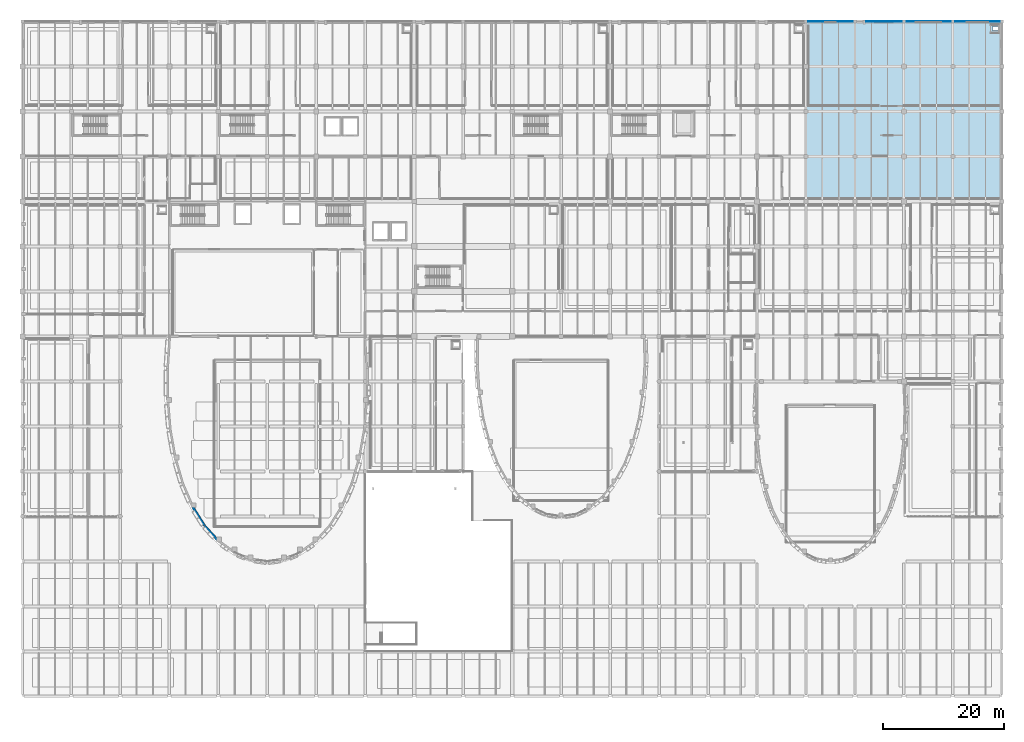
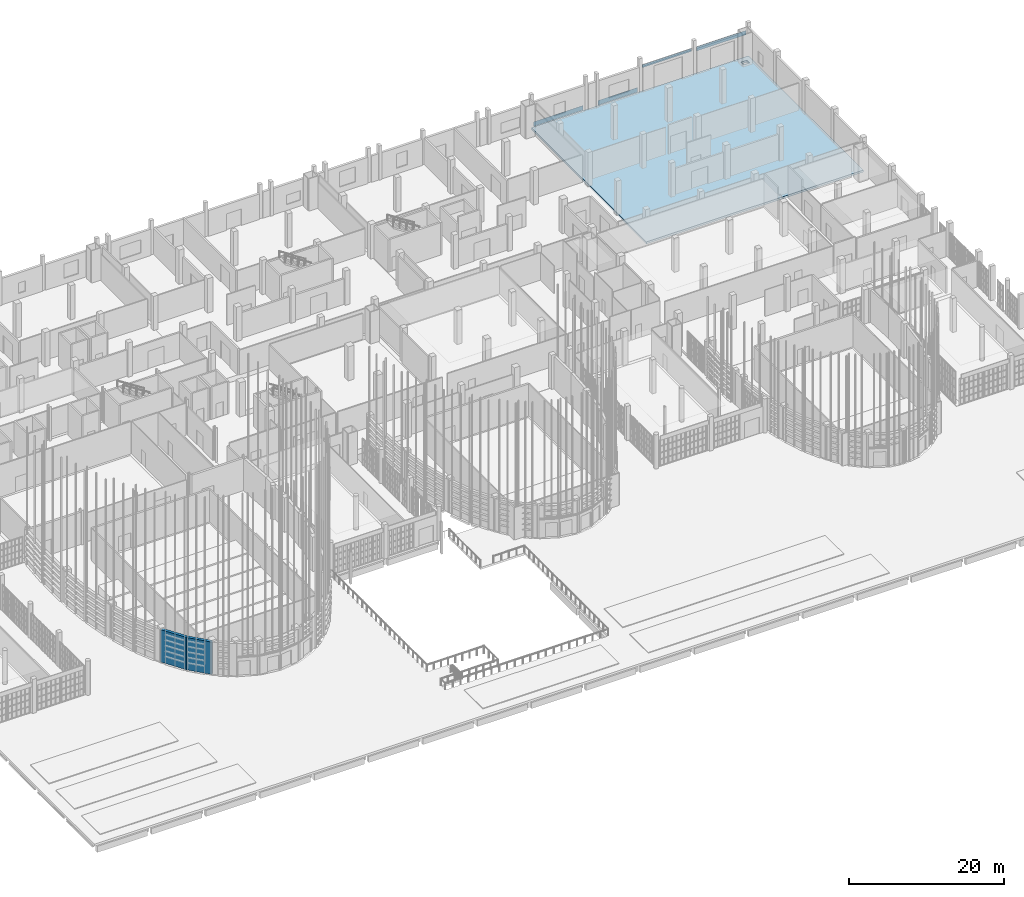
# One storey, part 347 of 372: 4 plates, 2 walls, 1 slab.
"""IFC4 building model written with IfcOpenShell, lengths in metres."""

import ifcopenshell
import ifcopenshell.guid

model = None  # the IFC model being written
_history = None  # IfcOwnerHistory: only IFC2X3 demands one
_inside = {}  # id of a spatial element -> (the spatial element, [elements in it])
_under = {}  # id of a project, library or spatial element -> (it, [spatial elements below it])
_declared = {}  # id of a project -> (the project, [libraries it declares])
_typed = {}  # id of a type object -> (the type object, [elements of that type])
_made_of = {}  # id of a material, layer set ... -> (it, [elements and type objects made of it])


def new_model(schema):
    """Start an empty IFC model of exactly this schema.

    Asked for "IFC4X3", IfcOpenShell would pick the latest addendum, in which some entities
    have other attributes; the version numbers below select the first issue.
    IFC2X3 requires an IfcOwnerHistory on every rooted entity: one is made here for all.
    """
    global model, _history
    if schema == "IFC4X3":
        model = ifcopenshell.file(schema_version=(4, 3, 0, 0))
    else:
        model = ifcopenshell.file(schema=schema)
    _inside.clear()
    _under.clear()
    _declared.clear()
    _typed.clear()
    _made_of.clear()
    _history = None
    if model.schema == "IFC2X3":
        org = make("IfcOrganization", Name="unknown")
        user = make(
            "IfcPersonAndOrganization",
            ThePerson=make("IfcPerson", FamilyName="unknown"),
            TheOrganization=org,
        )
        app = make(
            "IfcApplication",
            ApplicationDeveloper=org,
            Version="unknown",
            ApplicationFullName="unknown",
            ApplicationIdentifier="unknown",
        )
        _history = make(
            "IfcOwnerHistory",
            OwningUser=user,
            OwningApplication=app,
            ChangeAction="ADDED",
            CreationDate=0,
        )
    return model


def make(cls, **values):
    """One entity of the class cls with the attributes given. An attribute that is None is left unset."""
    return model.create_entity(
        cls, **{name: value for name, value in values.items() if value is not None}
    )


def rooted(cls, **values):
    """An entity with a GlobalId (a new one), such as an element, a storey or a relation."""
    return make(cls, GlobalId=ifcopenshell.guid.new(), OwnerHistory=_history, **values)


def si_unit(unit_type, name, prefix=None):
    """IfcSIUnit, for example si_unit("LENGTHUNIT", "METRE", prefix="MILLI")."""
    return make("IfcSIUnit", UnitType=unit_type, Prefix=prefix, Name=name)


def assignment(units):
    """IfcUnitAssignment: the units of a project."""
    return None if units is None else make("IfcUnitAssignment", Units=units)


def point(xyz):
    """IfcCartesianPoint."""
    return None if xyz is None else make("IfcCartesianPoint", Coordinates=xyz)


def direction(xyz):
    """IfcDirection."""
    return None if xyz is None else make("IfcDirection", DirectionRatios=xyz)


def frame(location, z_axis=None, x_axis=None):
    """IfcAxis2Placement3D, a coordinate frame: its origin and axes. An axis left out is left unset."""
    return make(
        "IfcAxis2Placement3D",
        Location=point(location),
        Axis=direction(z_axis),
        RefDirection=direction(x_axis),
    )


def frame_2d(location, x_axis=None):
    """IfcAxis2Placement2D, a coordinate frame in the plane: its origin and x axis."""
    return make(
        "IfcAxis2Placement2D", Location=point(location), RefDirection=direction(x_axis)
    )


def origin():
    """The frame at (0, 0, 0) with its axes left unset."""
    return frame((0.0, 0.0, 0.0))


def origin_2d():
    """The frame at (0, 0) in the plane with its x axis left unset."""
    return frame_2d((0.0, 0.0))


def place(relative_to, where):
    """IfcLocalPlacement: puts the frame where relative to a parent placement (None: the world)."""
    return make(
        "IfcLocalPlacement", PlacementRelTo=relative_to, RelativePlacement=where
    )


def context(
    kind, dimensions, precision=None, world=None, true_north=None, identifier=None
):
    """IfcGeometricRepresentationContext, for example the 3D "Model" context."""
    return make(
        "IfcGeometricRepresentationContext",
        ContextIdentifier=identifier,
        ContextType=kind,
        CoordinateSpaceDimension=dimensions,
        Precision=precision,
        WorldCoordinateSystem=world,
        TrueNorth=true_north,
    )


def subcontext(parent, identifier, kind, view, scale=None):
    """IfcGeometricRepresentationSubContext, for example "Body" below "Model"."""
    return make(
        "IfcGeometricRepresentationSubContext",
        ContextIdentifier=identifier,
        ContextType=kind,
        ParentContext=parent,
        TargetScale=scale,
        TargetView=view,
    )


def project(units=None, contexts=None):
    """IfcProject with its units and contexts."""
    return rooted(
        "IfcProject",
        Name="project",
        RepresentationContexts=contexts,
        UnitsInContext=assignment(units),
    )


def spatial(cls, under=None, at=None, **own):
    """A site, building, storey or space (cls), placed at a placement, below another one or the project."""
    s = rooted(cls, ObjectPlacement=at, **own)
    if under is not None:
        _under.setdefault(under.id(), (under, []))[1].append(s)
    return s


def polyline(points):
    """IfcPolyline through the points."""
    return make("IfcPolyline", Points=[point(p) for p in points])


def profile(cls, at=None, kind="AREA", **sizes):
    """A parametric profile (cls). Its sizes go by their IFC names, for example OverallWidth=200.0."""
    return make(cls, ProfileType=kind, Position=at, **sizes)


def rectangle(**sizes):
    """IfcRectangleProfileDef."""
    return profile("IfcRectangleProfileDef", **sizes)


def outline(outer, holes=None, kind="AREA"):
    """IfcArbitraryClosedProfileDef: a profile drawn as a closed curve; with holes, ...WithVoids."""
    if holes is None:
        return make("IfcArbitraryClosedProfileDef", ProfileType=kind, OuterCurve=outer)
    return make(
        "IfcArbitraryProfileDefWithVoids",
        ProfileType=kind,
        OuterCurve=outer,
        InnerCurves=holes,
    )


def extrude(swept, where, along, depth):
    """IfcExtrudedAreaSolid: the profile swept, set in the frame where, extruded along a direction by depth."""
    return make(
        "IfcExtrudedAreaSolid",
        SweptArea=swept,
        Position=where,
        ExtrudedDirection=direction(along),
        Depth=depth,
    )


def shape(context_of_items, identifier, shape_type, items):
    """IfcShapeRepresentation: the items that make up one representation, for example the "Body"."""
    return make(
        "IfcShapeRepresentation",
        ContextOfItems=context_of_items,
        RepresentationIdentifier=identifier,
        RepresentationType=shape_type,
        Items=items,
    )


def material(Name=None, Category=None):
    """IfcMaterial."""
    return make("IfcMaterial", Name=Name, Category=Category)


def layer(
    of_material, thickness, ventilated=None, Name=None, Category=None, Priority=None
):
    """IfcMaterialLayer: one layer of a wall or slab, of a material (None: an air gap)."""
    return make(
        "IfcMaterialLayer",
        Material=of_material,
        LayerThickness=thickness,
        IsVentilated=ventilated,
        Name=Name,
        Category=Category,
        Priority=Priority,
    )


def layer_set(layers, Name=None):
    """IfcMaterialLayerSet."""
    return make("IfcMaterialLayerSet", MaterialLayers=layers, LayerSetName=Name)


def made_of(thing, what):
    """Note that an element or type object is made of a material, layer set ...; save() writes the relation."""
    if what is not None:
        _made_of.setdefault(what.id(), (what, []))[1].append(thing)
    return thing


def type_object(cls, material=None, **own):
    """A type object (cls), such as IfcWallType, which elements share."""
    return made_of(rooted(cls, **own), material)


def element(
    cls,
    number,
    at=None,
    inside=None,
    cuts=None,
    type_object=None,
    material=None,
    context=None,
    identifier="Body",
    shape_type=None,
    held_by="IfcProductDefinitionShape",
    body=None,
    shapes=None,
    **own,
):
    """One element of the class cls, such as IfcWall. Its Tag is "e" and its number.

    at: its placement. inside: the storey or other place that contains it. cuts: it is an
    opening in that element (IfcRelVoidsElement). A single representation is given by context,
    identifier, shape_type and body (its items); several are given by shapes. held_by: the class
    of the entity that holds the representations. save() writes the other relations.
    """
    e = rooted(cls, Tag="e%d" % number, ObjectPlacement=at, **own)
    if body is not None:
        shapes = [shape(context, identifier, shape_type, body)]
    if shapes is not None:
        e.Representation = make(held_by, Representations=shapes)
    if inside is not None:
        _inside.setdefault(inside.id(), (inside, []))[1].append(e)
    if cuts is not None:
        rooted(
            "IfcRelVoidsElement", RelatingBuildingElement=cuts, RelatedOpeningElement=e
        )
    if type_object is not None:
        _typed.setdefault(type_object.id(), (type_object, []))[1].append(e)
    return made_of(e, material)


def aggregate(whole, parts):
    """IfcRelAggregates: a whole, such as a stair, and the parts it consists of."""
    return rooted("IfcRelAggregates", RelatingObject=whole, RelatedObjects=parts)


def save(model, path):
    """Write the relations noted so far, then the file.

    IfcRelAggregates (storeys below a building ...), IfcRelContainedInSpatialStructure (elements
    in a storey), IfcRelDefinesByType, IfcRelAssociatesMaterial and IfcRelDeclares: one each for
    every whole, place, type object, material and project.
    """
    for whole, parts in _under.values():
        aggregate(whole, parts)
    for where, things in _inside.values():
        rooted(
            "IfcRelContainedInSpatialStructure",
            RelatedElements=things,
            RelatingStructure=where,
        )
    for kind, things in _typed.values():
        rooted("IfcRelDefinesByType", RelatedObjects=things, RelatingType=kind)
    for what, things in _made_of.values():
        rooted("IfcRelAssociatesMaterial", RelatedObjects=things, RelatingMaterial=what)
    for by, libraries in _declared.values():
        rooted("IfcRelDeclares", RelatingContext=by, RelatedDefinitions=libraries)
    model.write(path)


model = new_model("IFC4")

# Units and contexts
model_context = context("Model", 3, precision=1e-05, world=origin(), true_north=direction((0.0, 1.0)))
body_context = subcontext(model_context, "Body", "Model", "MODEL_VIEW")
ifc_project = project(units=[si_unit("LENGTHUNIT", "METRE"), si_unit("AREAUNIT", "SQUARE_METRE"), si_unit("VOLUMEUNIT", "CUBIC_METRE"), si_unit("PLANEANGLEUNIT", "RADIAN"), si_unit("MASSUNIT", "GRAM", prefix="KILO")], contexts=[model_context])

# Site, building, storey
site_placement = place(None, origin())
site = spatial("IfcSite", under=ifc_project, at=site_placement, CompositionType="ELEMENT")
building_placement = place(site_placement, origin())
building = spatial("IfcBuilding", under=site, at=building_placement, Name="Kaelora Sail Theatre", CompositionType="ELEMENT")
storey_placement = place(building_placement, origin())
storey = spatial("IfcBuildingStorey", under=building, at=storey_placement, Name="L00", CompositionType="ELEMENT", Elevation=0.0)

# Plates
ifc_material_1 = material(Name="Anodised perforated aluminium acoustic screen", Category="aluminium")
ifc_layer_1 = layer(ifc_material_1, 0.01611328125)
ifc_layer_set_1 = layer_set([ifc_layer_1], Name="Anodised perforated aluminium acoustic screen")
plate_type_1 = type_object("IfcPlateType", Name="ARC-PL-CLD-PRF-16", PredefinedType="USERDEFINED", material=ifc_layer_set_1)
plate_1_placement = place(storey_placement, frame((144.0, 113.101318359375, 0.06005859375), z_axis=(0.0, 0.0, 1.0), x_axis=(1.0, 0.0, 0.0)))
element("IfcPlate", 1, at=plate_1_placement, inside=storey, type_object=plate_type_1, Name="Postmodern Facade Entablature Spandrel L00 B18", ObjectType="ACOUSTIC SCREEN", PredefinedType="USERDEFINED", context=body_context, shape_type="SweptSolid", body=[
    extrude(rectangle(XDim=5.85009765625, YDim=0.01611328125, at=origin_2d()), origin(), (0.0, 0.0, 1.0), 0.719970703125),
])
ifc_material_2 = material(Name="Architectural glazed terracotta ceramic panel", Category="masonry")
ifc_layer_2 = layer(ifc_material_2, 0.0400390625)
ifc_layer_set_2 = layer_set([ifc_layer_2], Name="Architectural glazed terracotta ceramic panel")
plate_type_2 = type_object("IfcPlateType", Name="ARC-PL-CLD-TER-40", PredefinedType="SHEET", material=ifc_layer_set_2)
plate_2_placement = place(storey_placement, frame((151.35009765625, 113.111083984375, 3.64697265625), z_axis=(0.0, 0.0, 1.0), x_axis=(1.0, 0.0, 0.0)))
element("IfcPlate", 2, at=plate_2_placement, inside=storey, type_object=plate_type_2, Name="Postmodern Facade Entablature Spandrel L00 B19", PredefinedType="SHEET", context=body_context, shape_type="SweptSolid", body=[
    extrude(rectangle(XDim=7.35009765625, YDim=0.0400390625, at=origin_2d()), origin(), (0.0, 0.0, 1.0), 0.449951171875),
])
ifc_material_3 = material(Name="Titanium-zinc acoustic standing-seam cassette", Category="metal")
ifc_layer_3 = layer(ifc_material_3, 0.028076171875)
ifc_layer_set_3 = layer_set([ifc_layer_3], Name="Titanium-zinc acoustic standing-seam cassette")
plate_type_3 = type_object("IfcPlateType", Name="ARC-PL-CLD-ZNC-28", PredefinedType="SHEET", material=ifc_layer_set_3)
plate_3_placement = place(storey_placement, frame((135.14990234375, 113.106201171875, 0.06005859375), z_axis=(0.0, 0.0, 1.0), x_axis=(1.0, 0.0, 0.0)))
element("IfcPlate", 3, at=plate_3_placement, inside=storey, type_object=plate_type_3, Name="Postmodern Facade Entablature Spandrel L00 B17", PredefinedType="SHEET", context=body_context, shape_type="SweptSolid", body=[
    extrude(rectangle(XDim=7.35009765625, YDim=0.028076171875, at=origin_2d()), origin(), (0.0, 0.0, 1.0), 0.719970703125),
])
plate_4_placement = place(storey_placement, frame((159.449951171875, 113.106201171875, 3.447021484375), z_axis=(0.0, 0.0, 1.0), x_axis=(1.0, 0.0, 0.0)))
element("IfcPlate", 4, at=plate_4_placement, inside=storey, type_object=plate_type_3, Name="Postmodern Facade Entablature Spandrel L00 B20", PredefinedType="SHEET", context=body_context, shape_type="SweptSolid", body=[
    extrude(rectangle(XDim=7.35009765625, YDim=0.028076171875, at=origin_2d()), origin(), (0.0, 0.0, 1.0), 0.64990234375),
])

# Slab
ifc_material_4 = material(Name="Concrete C45/55", Category="concrete")
ifc_layer_4 = layer(ifc_material_4, 0.320068359375)
ifc_layer_set_4 = layer_set([ifc_layer_4], Name="Concrete C45/55")
slab_type = type_object("IfcSlabType", Name="STR-SLB-SL-FL320", PredefinedType="FLOOR", material=ifc_layer_set_4)
slab_placement = place(storey_placement, frame((0.0, 0.0, -0.320068359375)))
element("IfcSlab", 5, at=slab_placement, inside=storey, type_object=slab_type, Name="North Wing floor slab NW5 (L00)", PredefinedType="FLOOR", context=body_context, shape_type="SweptSolid", body=[
    extrude(outline(polyline([(131.114990234375, 83.35498046875), (131.114990234375, 113.10009765625), (163.5, 113.10009765625), (163.5, 83.35498046875), (131.114990234375, 83.35498046875)]), holes=[polyline([(161.949951171875, 111.64990234375), (162.85009765625, 111.64990234375), (162.85009765625, 112.300048828125), (161.949951171875, 112.300048828125), (161.949951171875, 111.64990234375)])]), origin(), (0.0, 0.0, 1.0), 0.320068359375),
])

# Walls
ifc_material_5 = material(Name="Concrete C50/60", Category="concrete")
ifc_layer_5 = layer(ifc_material_5, 0.39990234375)
ifc_layer_set_5 = layer_set([ifc_layer_5], Name="Concrete C50/60")
wall_type = type_object("IfcWallType", Name="ARC-WL-DW-400", PredefinedType="SHEAR", material=ifc_layer_set_5)
wall_1_placement = place(storey_placement, frame((33.909912109375, 27.181640625, 0.0), z_axis=(0.0, 0.0, 1.0), x_axis=(-0.671588971211, 0.740923919001, 0.0)))
element("IfcWall", 6, at=wall_1_placement, inside=storey, type_object=wall_type, Name="Main Theatre Sail Drum curved drum acoustic wall L00 chord 15", PredefinedType="SHEAR", context=body_context, shape_type="SweptSolid", body=[
    extrude(rectangle(XDim=3.43310546875, YDim=0.39990234375, at=frame_2d((1.716552734375, 0.0))), origin(), (0.0, 0.0, 1.0), 5.10498046875),
])
wall_2_placement = place(storey_placement, frame((31.604248046875, 29.725341796875, 0.0), z_axis=(0.0, 0.0, 1.0), x_axis=(-0.531284290946, 0.847193603726, 0.0)))
element("IfcWall", 7, at=wall_2_placement, inside=storey, type_object=wall_type, Name="Main Theatre Sail Drum curved drum acoustic wall L00 chord 16", PredefinedType="SHEAR", context=body_context, shape_type="SweptSolid", body=[
    extrude(rectangle(XDim=3.75439453125, YDim=0.39990234375, at=frame_2d((1.877197265625, 0.0))), origin(), (0.0, 0.0, 1.0), 5.10498046875),
])

save(model, "model.ifc")
